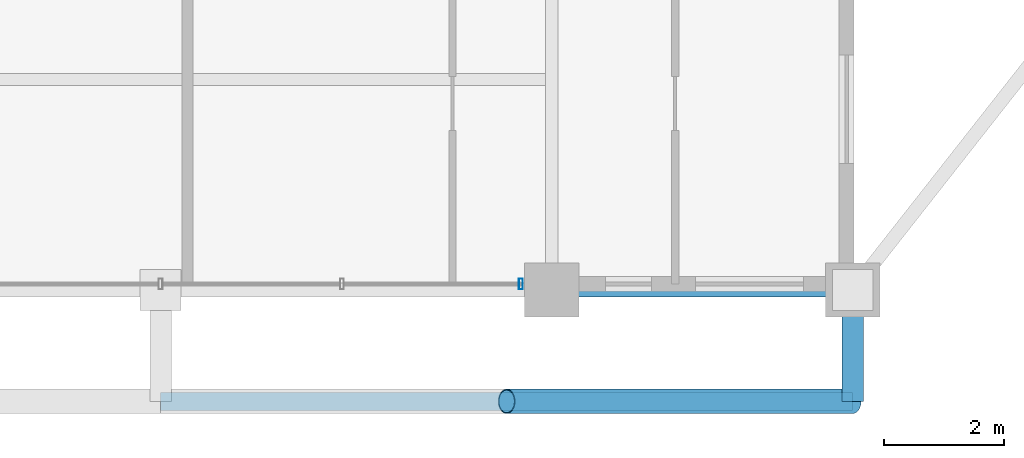
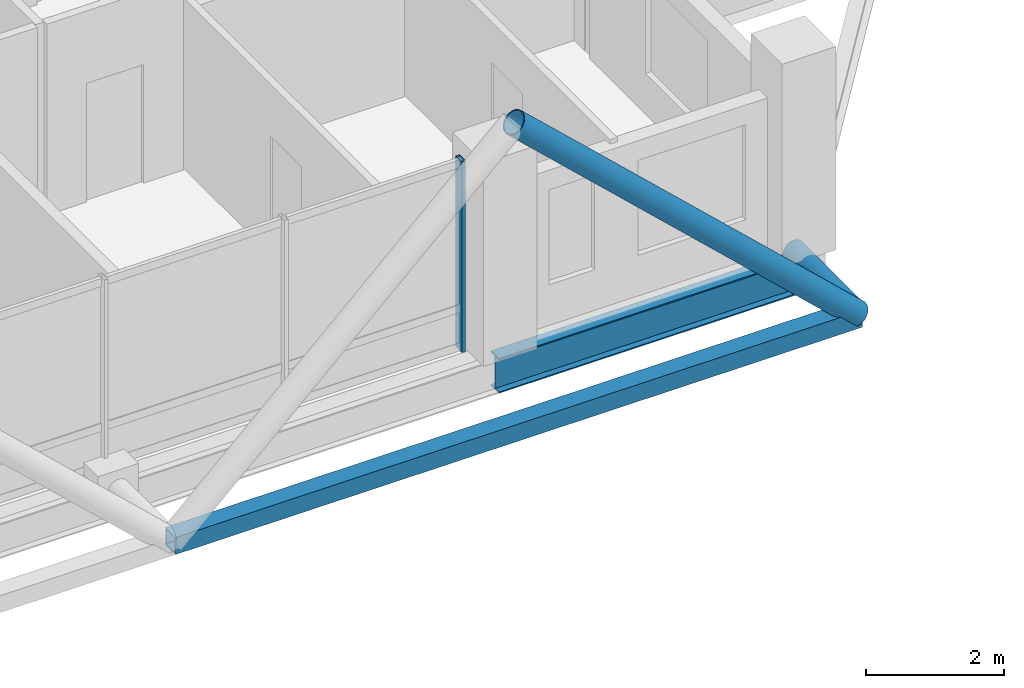
# One storey, part 6 of 25: 4 members, 1 beam, 1 element without a shape of its own.
"""IFC4 building model written with IfcOpenShell, lengths in metres."""

from ifc_helpers import new_model, si_unit, direction, frame, origin, origin_2d, place, context, subcontext, project, spatial, hollow_rectangle, hollow_circle, i_section, extrude, material, layer, layer_set, material_profile, profile_set, type_object, element, aggregate, save


model = new_model("IFC4")

# Units and contexts
model_context = context("Model", 3, precision=1e-05, world=origin(), true_north=direction((0.0, 1.0)))
body_context = subcontext(model_context, "Body", "Model", "MODEL_VIEW")
ifc_project = project(units=[si_unit("LENGTHUNIT", "METRE"), si_unit("AREAUNIT", "SQUARE_METRE"), si_unit("VOLUMEUNIT", "CUBIC_METRE"), si_unit("PLANEANGLEUNIT", "RADIAN"), si_unit("MASSUNIT", "GRAM", prefix="KILO")], contexts=[model_context])

# Site, building, storey
site_placement = place(None, origin())
site = spatial("IfcSite", under=ifc_project, at=site_placement, CompositionType="ELEMENT")
building_placement = place(site_placement, origin())
building = spatial("IfcBuilding", under=site, at=building_placement, Name="Barlavira Tower and Art Museum", CompositionType="ELEMENT")
storey_placement = place(building_placement, frame((0.0, 0.0, 229.5)))
storey = spatial("IfcBuildingStorey", under=building, at=storey_placement, Name="L59", CompositionType="ELEMENT", Elevation=229.5)

# Curtain wall, member
ifc_material_1 = material(Name="Low-iron coastal laminated glass", Category="glass")
ifc_layer = layer(ifc_material_1, 0.2099609375, Name="Low-iron coastal laminated glass")
ifc_layer_set = layer_set([ifc_layer], Name="Low-iron coastal laminated glass")
curtain_wall_type = type_object("IfcCurtainWallType", Name="Pale-Metal Unitised Curtain Wall Zone 4", PredefinedType="NOTDEFINED", material=ifc_layer_set)
curtain_wall_placement = place(storey_placement, origin())
curtain_wall = element("IfcCurtainWall", 1, at=curtain_wall_placement, inside=storey, type_object=curtain_wall_type, Name="L59 Curtain Wall CW4-L59-S-B2", PredefinedType="NOTDEFINED")
ifc_material_2 = material(Name="Pale anodised aluminium", Category="aluminium")
ifc_material_profile_1 = material_profile(ifc_material_2, hollow_rectangle(XDim=0.06494140625, YDim=0.179931640625, WallThickness=0.00390625, at=origin_2d()), Name="ALU-MULL 65x180x4")
ifc_profile_set_1 = profile_set([ifc_material_profile_1], Name="Pale anodised aluminium")
member_type_1 = type_object("IfcMemberType", Name="Curtain Wall Pale-Metal Mullion 65x180", PredefinedType="MULLION", material=ifc_profile_set_1)
member_1_placement = place(storey_placement, frame((5.985107421875, -19.89990234375, 0.0), z_axis=(0.0, 0.0, 1.0), x_axis=(1.0, 0.0, 0.0)))
member_1 = element("IfcMember", 2, at=member_1_placement, type_object=member_type_1, Name="CW4-L59-S-B2 Mullion 4", PredefinedType="MULLION", context=body_context, shape_type="SweptSolid", body=[
    extrude(hollow_rectangle(XDim=0.06494140625, YDim=0.179931640625, WallThickness=0.00390625, at=origin_2d()), origin(), (0.0, 0.0, 1.0), 3.3798828125),
])
aggregate(curtain_wall, [member_1])

# Members
ifc_material_3 = material(Name="Steel S355", Category="steel")
ifc_material_profile_2 = material_profile(ifc_material_3, hollow_circle(Radius=0.203125, WallThickness=0.01611328125, at=origin_2d()), Name="CHS 406.4x16.0")
ifc_profile_set_2 = profile_set([ifc_material_profile_2], Name="Steel S355")
member_type_2 = type_object("IfcMemberType", Name="Pale-Metal Exoskeleton Diagrid Tube CHS 406x16 Steel S355", PredefinedType="BRACE", material=ifc_profile_set_2)
member_2_placement = place(storey_placement, frame((11.5, -21.85009765625, -0.1201171875), z_axis=(-0.728934650808, 0.0, 0.684583285548), x_axis=(0.0, -1.0, 0.0)))
element("IfcMember", 3, at=member_2_placement, inside=storey, type_object=member_type_2, Name="L59 Exoskeleton Diagrid Tube S", PredefinedType="BRACE", context=body_context, shape_type="SweptSolid", body=[
    extrude(hollow_circle(Radius=0.203125, WallThickness=0.01611328125, at=origin_2d()), origin(), (0.0, 0.0, 1.0), 7.88818359375),
])
ifc_material_profile_3 = material_profile(ifc_material_3, hollow_circle(Radius=0.177734375, WallThickness=0.01611328125, at=origin_2d()), Name="CHS 355.6x16.0")
ifc_profile_set_3 = profile_set([ifc_material_profile_3], Name="Steel S355")
member_type_3 = type_object("IfcMemberType", Name="Pale-Metal Exoskeleton Tie Strut CHS 356x16 Steel S355", PredefinedType="STRUT", material=ifc_profile_set_3)
member_3_placement = place(storey_placement, frame((11.5, -21.85009765625, -0.1201171875), z_axis=(0.0, 1.0, 0.0), x_axis=(-1.0, 0.0, 0.0)))
element("IfcMember", 4, at=member_3_placement, inside=storey, type_object=member_type_3, Name="L59 Exoskeleton Tie Strut S3", PredefinedType="STRUT", context=body_context, shape_type="SweptSolid", body=[
    extrude(hollow_circle(Radius=0.177734375, WallThickness=0.01611328125, at=origin_2d()), origin(), (0.0, 0.0, 1.0), 1.85009765625),
])
ifc_material_profile_4 = material_profile(ifc_material_3, hollow_rectangle(XDim=0.300048828125, YDim=0.300048828125, WallThickness=0.01611328125, at=origin_2d()), Name="SHS 300x300x16.0")
ifc_profile_set_4 = profile_set([ifc_material_profile_4], Name="Steel S355")
member_type_4 = type_object("IfcMemberType", Name="Pale-Metal Upper Ring Strut SHS 300x300x16 Steel S355", PredefinedType="STRUT", material=ifc_profile_set_4)
member_4_placement = place(storey_placement, frame((0.0, -21.85009765625, -0.1201171875), z_axis=(1.0, 0.0, 0.0), x_axis=(0.0, 1.0, 0.0)))
element("IfcMember", 5, at=member_4_placement, inside=storey, type_object=member_type_4, Name="L59 Exoskeleton Ring Strut S", PredefinedType="STRUT", context=body_context, shape_type="SweptSolid", body=[
    extrude(hollow_rectangle(XDim=0.300048828125, YDim=0.300048828125, WallThickness=0.01611328125, at=origin_2d()), origin(), (0.0, 0.0, 1.0), 11.5),
])

# Beam
ifc_material_profile_5 = material_profile(ifc_material_3, i_section(OverallWidth=0.22998046875, OverallDepth=0.616943359375, WebThickness=0.01318359375, FlangeThickness=0.022216796875, at=origin_2d()), Name="W610x140.0")
ifc_profile_set_5 = profile_set([ifc_material_profile_5], Name="Steel S355")
beam_type = type_object("IfcBeamType", Name="Upper Shaft Spandrel Edge Beam W610x140 Steel S355", PredefinedType="SPANDREL", material=ifc_profile_set_5)
beam_placement = place(storey_placement, frame((6.5, -20.0, -0.528564453125), z_axis=(1.0, 0.0, 0.0), x_axis=(0.0, 1.0, 0.0)))
element("IfcBeam", 6, at=beam_placement, inside=storey, type_object=beam_type, Name="L59 Spandrel 3", PredefinedType="SPANDREL", context=body_context, shape_type="SweptSolid", body=[
    extrude(i_section(OverallWidth=0.22998046875, OverallDepth=0.616943359375, WebThickness=0.01318359375, FlangeThickness=0.022216796875, at=origin_2d()), origin(), (0.0, 0.0, 1.0), 5.0),
])

save(model, "model.ifc")
